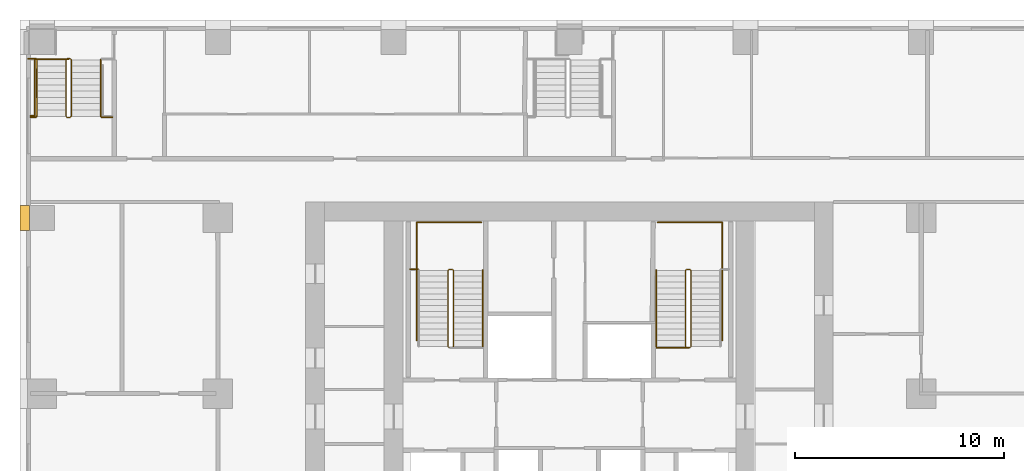
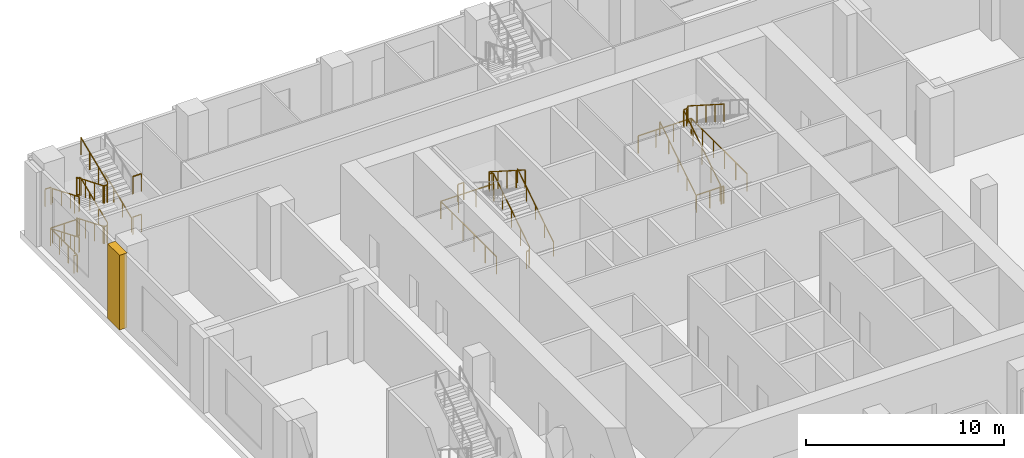
# One storey, part 17 of 21: 18 railings, 1 covering.
"""IFC4 building model written with IfcOpenShell, lengths in metres."""

from ifc_helpers import new_model, si_unit, direction, frame, origin, origin_2d, place, context, subcontext, project, spatial, polyline, rectangle, outline, extrude, material, type_object, element, save


model = new_model("IFC4")

# Units and contexts
model_context = context("Model", 3, precision=1e-05, world=origin(), true_north=direction((0.0, 1.0)))
body_context = subcontext(model_context, "Body", "Model", "MODEL_VIEW")
ifc_project = project(units=[si_unit("LENGTHUNIT", "METRE"), si_unit("AREAUNIT", "SQUARE_METRE"), si_unit("VOLUMEUNIT", "CUBIC_METRE"), si_unit("PLANEANGLEUNIT", "RADIAN"), si_unit("MASSUNIT", "GRAM", prefix="KILO")], contexts=[model_context])

# Site, building, storey
site_placement = place(None, origin())
site = spatial("IfcSite", under=ifc_project, at=site_placement, CompositionType="ELEMENT")
building_placement = place(site_placement, origin())
building = spatial("IfcBuilding", under=site, at=building_placement, Name="Vermilion Ogive Tower", CompositionType="ELEMENT")
storey_placement = place(building_placement, frame((0.0, 0.0, 25.0)))
storey = spatial("IfcBuildingStorey", under=building, at=storey_placement, Name="L04", CompositionType="ELEMENT", Elevation=25.0)

# Railings
ifc_material_1 = material(Name="Steel S355 painted", Category="steel")
railing_type_1 = type_object("IfcRailingType", Name="Stair guard 1100", PredefinedType="GUARDRAIL", material=ifc_material_1)
railing_1_placement = place(storey_placement, frame((-5.75, 14.800048828125, 0.0)))
element("IfcRailing", 1, at=railing_1_placement, inside=storey, type_object=railing_type_1, Name="L04 ST1 stair guard 4", PredefinedType="GUARDRAIL", context=body_context, shape_type="SweptSolid", body=[
    extrude(rectangle(XDim=0.048095703125, YDim=0.048095703125, at=origin_2d()), frame((0.0, 0.0, 1.076171875), z_axis=(1.0, 0.0, 0.0), x_axis=(0.0, 1.0, 0.0)), (0.0, 0.0, 1.0), 0.14990234375),
    extrude(rectangle(XDim=0.048095703125, YDim=0.048095703125, at=origin_2d()), frame((0.14990234375, 0.0, 1.076171875), z_axis=(0.260684529273, 0.260684529273, 0.929562882432), x_axis=(-0.707106781187, 0.707106781187, 0.0)), (0.0, 0.0, 1.0), 0.19189453125),
    extrude(rectangle(XDim=0.048095703125, YDim=0.048095703125, at=origin_2d()), frame((0.199951171875, 0.050048828125, 1.25439453125), z_axis=(0.0, 0.843111507901, 0.53773877045), x_axis=(-1.0, 0.0, 0.0)), (0.0, 0.0, 1.0), 4.317138671875),
    extrude(rectangle(XDim=0.048095703125, YDim=0.048095703125, at=origin_2d()), frame((0.199951171875, 3.68994140625, 3.576171875), z_axis=(-0.707106781187, 0.707106781187, 0.0), x_axis=(-0.707106781187, -0.707106781187, 0.0)), (0.0, 0.0, 1.0), 0.07080078125),
    extrude(rectangle(XDim=0.048095703125, YDim=0.048095703125, at=origin_2d()), frame((0.14990234375, 3.739990234375, 3.576171875), z_axis=(-1.0, 0.0, 0.0), x_axis=(0.0, -1.0, 0.0)), (0.0, 0.0, 1.0), 0.14990234375),
    extrude(rectangle(XDim=0.048095703125, YDim=0.048095703125, at=origin_2d()), frame((0.0, 3.739990234375, 3.576171875), z_axis=(-0.260684529273, -0.260684529273, 0.929562882432), x_axis=(0.707106781187, -0.707106781187, 0.0)), (0.0, 0.0, 1.0), 0.19189453125),
    extrude(rectangle(XDim=0.048095703125, YDim=0.048095703125, at=origin_2d()), frame((-0.050048828125, 3.68994140625, 3.75439453125), z_axis=(0.0, -0.843111507901, 0.53773877045), x_axis=(1.0, 0.0, 0.0)), (0.0, 0.0, 1.0), 4.317138671875),
    extrude(rectangle(XDim=0.0419921875, YDim=0.0419921875, at=origin_2d()), origin(), (0.0, 0.0, 1.0), 1.052001953125),
    extrude(rectangle(XDim=0.0419921875, YDim=0.0419921875, at=origin_2d()), frame((0.14990234375, 0.0, 0.0)), (0.0, 0.0, 1.0), 1.052001953125),
    extrude(rectangle(XDim=0.0419921875, YDim=0.0419921875, at=origin_2d()), frame((0.199951171875, 0.050048828125, 0.178466796875)), (0.0, 0.0, 1.0), 1.052001953125),
    extrude(rectangle(XDim=0.0419921875, YDim=0.0419921875, at=origin_2d()), frame((0.199951171875, 0.9599609375, 0.7587890625)), (0.0, 0.0, 1.0), 1.052001953125),
    extrude(rectangle(XDim=0.0419921875, YDim=0.0419921875, at=origin_2d()), frame((0.199951171875, 1.8701171875, 1.33935546875)), (0.0, 0.0, 1.0), 1.052001953125),
    extrude(rectangle(XDim=0.0419921875, YDim=0.0419921875, at=origin_2d()), frame((0.199951171875, 2.780029296875, 1.919677734375)), (0.0, 0.0, 1.0), 1.052001953125),
    extrude(rectangle(XDim=0.0419921875, YDim=0.0419921875, at=origin_2d()), frame((0.199951171875, 3.68994140625, 2.5)), (0.0, 0.0, 1.0), 1.052001953125),
    extrude(rectangle(XDim=0.0419921875, YDim=0.0419921875, at=origin_2d()), frame((0.14990234375, 3.739990234375, 2.5)), (0.0, 0.0, 1.0), 1.052001953125),
    extrude(rectangle(XDim=0.0419921875, YDim=0.0419921875, at=origin_2d()), frame((0.0, 3.739990234375, 2.5)), (0.0, 0.0, 1.0), 1.052001953125),
    extrude(rectangle(XDim=0.0419921875, YDim=0.0419921875, at=origin_2d()), frame((-0.050048828125, 3.68994140625, 2.678466796875)), (0.0, 0.0, 1.0), 1.052001953125),
    extrude(rectangle(XDim=0.0419921875, YDim=0.0419921875, at=origin_2d()), frame((-0.050048828125, 2.780029296875, 3.2587890625)), (0.0, 0.0, 1.0), 1.052001953125),
    extrude(rectangle(XDim=0.0419921875, YDim=0.0419921875, at=origin_2d()), frame((-0.050048828125, 1.8701171875, 3.83935546875)), (0.0, 0.0, 1.0), 1.052001953125),
    extrude(rectangle(XDim=0.0419921875, YDim=0.0419921875, at=origin_2d()), frame((-0.050048828125, 0.9599609375, 4.419677734375)), (0.0, 0.0, 1.0), 1.052001953125),
    extrude(rectangle(XDim=0.0419921875, YDim=0.0419921875, at=origin_2d()), frame((-0.050048828125, 0.050048828125, 5.0)), (0.0, 0.0, 1.0), 1.052001953125),
])
railing_2_placement = place(storey_placement, frame((5.75, 14.800048828125, 0.0)))
element("IfcRailing", 2, at=railing_2_placement, inside=storey, type_object=railing_type_1, Name="L04 ST2 stair guard 4", PredefinedType="GUARDRAIL", context=body_context, shape_type="SweptSolid", body=[
    extrude(rectangle(XDim=0.048095703125, YDim=0.048095703125, at=origin_2d()), frame((0.0, 0.0, 1.076171875), z_axis=(-1.0, 0.0, 0.0), x_axis=(0.0, -1.0, 0.0)), (0.0, 0.0, 1.0), 0.14990234375),
    extrude(rectangle(XDim=0.048095703125, YDim=0.048095703125, at=origin_2d()), frame((-0.14990234375, 0.0, 1.076171875), z_axis=(-0.260684529273, 0.260684529273, 0.929562882432), x_axis=(-0.707106781187, -0.707106781187, 0.0)), (0.0, 0.0, 1.0), 0.19189453125),
    extrude(rectangle(XDim=0.048095703125, YDim=0.048095703125, at=origin_2d()), frame((-0.199951171875, 0.050048828125, 1.25439453125), z_axis=(0.0, 0.843111507901, 0.53773877045), x_axis=(-1.0, 0.0, 0.0)), (0.0, 0.0, 1.0), 4.317138671875),
    extrude(rectangle(XDim=0.048095703125, YDim=0.048095703125, at=origin_2d()), frame((-0.199951171875, 3.68994140625, 3.576171875), z_axis=(0.707106781187, 0.707106781187, 0.0), x_axis=(-0.707106781187, 0.707106781187, 0.0)), (0.0, 0.0, 1.0), 0.07080078125),
    extrude(rectangle(XDim=0.048095703125, YDim=0.048095703125, at=origin_2d()), frame((-0.14990234375, 3.739990234375, 3.576171875), z_axis=(1.0, 0.0, 0.0), x_axis=(0.0, 1.0, 0.0)), (0.0, 0.0, 1.0), 0.14990234375),
    extrude(rectangle(XDim=0.048095703125, YDim=0.048095703125, at=origin_2d()), frame((0.0, 3.739990234375, 3.576171875), z_axis=(0.260684529273, -0.260684529273, 0.929562882432), x_axis=(0.707106781187, 0.707106781187, 0.0)), (0.0, 0.0, 1.0), 0.19189453125),
    extrude(rectangle(XDim=0.048095703125, YDim=0.048095703125, at=origin_2d()), frame((0.050048828125, 3.68994140625, 3.75439453125), z_axis=(0.0, -0.843111507901, 0.53773877045), x_axis=(1.0, 0.0, 0.0)), (0.0, 0.0, 1.0), 4.317138671875),
    extrude(rectangle(XDim=0.0419921875, YDim=0.0419921875, at=origin_2d()), origin(), (0.0, 0.0, 1.0), 1.052001953125),
    extrude(rectangle(XDim=0.0419921875, YDim=0.0419921875, at=origin_2d()), frame((-0.14990234375, 0.0, 0.0)), (0.0, 0.0, 1.0), 1.052001953125),
    extrude(rectangle(XDim=0.0419921875, YDim=0.0419921875, at=origin_2d()), frame((-0.199951171875, 0.050048828125, 0.178466796875)), (0.0, 0.0, 1.0), 1.052001953125),
    extrude(rectangle(XDim=0.0419921875, YDim=0.0419921875, at=origin_2d()), frame((-0.199951171875, 0.9599609375, 0.7587890625)), (0.0, 0.0, 1.0), 1.052001953125),
    extrude(rectangle(XDim=0.0419921875, YDim=0.0419921875, at=origin_2d()), frame((-0.199951171875, 1.8701171875, 1.33935546875)), (0.0, 0.0, 1.0), 1.052001953125),
    extrude(rectangle(XDim=0.0419921875, YDim=0.0419921875, at=origin_2d()), frame((-0.199951171875, 2.780029296875, 1.919677734375)), (0.0, 0.0, 1.0), 1.052001953125),
    extrude(rectangle(XDim=0.0419921875, YDim=0.0419921875, at=origin_2d()), frame((-0.199951171875, 3.68994140625, 2.5)), (0.0, 0.0, 1.0), 1.052001953125),
    extrude(rectangle(XDim=0.0419921875, YDim=0.0419921875, at=origin_2d()), frame((-0.14990234375, 3.739990234375, 2.5)), (0.0, 0.0, 1.0), 1.052001953125),
    extrude(rectangle(XDim=0.0419921875, YDim=0.0419921875, at=origin_2d()), frame((0.0, 3.739990234375, 2.5)), (0.0, 0.0, 1.0), 1.052001953125),
    extrude(rectangle(XDim=0.0419921875, YDim=0.0419921875, at=origin_2d()), frame((0.050048828125, 3.68994140625, 2.678466796875)), (0.0, 0.0, 1.0), 1.052001953125),
    extrude(rectangle(XDim=0.0419921875, YDim=0.0419921875, at=origin_2d()), frame((0.050048828125, 2.780029296875, 3.2587890625)), (0.0, 0.0, 1.0), 1.052001953125),
    extrude(rectangle(XDim=0.0419921875, YDim=0.0419921875, at=origin_2d()), frame((0.050048828125, 1.8701171875, 3.83935546875)), (0.0, 0.0, 1.0), 1.052001953125),
    extrude(rectangle(XDim=0.0419921875, YDim=0.0419921875, at=origin_2d()), frame((0.050048828125, 0.9599609375, 4.419677734375)), (0.0, 0.0, 1.0), 1.052001953125),
    extrude(rectangle(XDim=0.0419921875, YDim=0.0419921875, at=origin_2d()), frame((0.050048828125, 0.050048828125, 5.0)), (0.0, 0.0, 1.0), 1.052001953125),
])
railing_3_placement = place(storey_placement, frame((-23.85009765625, 28.60009765625, 0.0)))
element("IfcRailing", 3, at=railing_3_placement, inside=storey, type_object=railing_type_1, Name="L04 PS1 stair guard 8", PredefinedType="GUARDRAIL", context=body_context, shape_type="SweptSolid", body=[
    extrude(rectangle(XDim=0.048095703125, YDim=0.048095703125, at=origin_2d()), frame((0.0, 0.0, 1.076171875), z_axis=(-1.0, 0.0, 0.0), x_axis=(0.0, -1.0, 0.0)), (0.0, 0.0, 1.0), 0.14990234375),
    extrude(rectangle(XDim=0.048095703125, YDim=0.048095703125, at=origin_2d()), frame((-0.14990234375, 0.0, 1.076171875), z_axis=(-0.34841279274, -0.34841279274, 0.870182194549), x_axis=(0.707106781187, -0.707106781187, 0.0)), (0.0, 0.0, 1.0), 0.1435546875),
    extrude(rectangle(XDim=0.048095703125, YDim=0.048095703125, at=origin_2d()), frame((-0.199951171875, -0.050048828125, 1.201171875), z_axis=(0.0, -0.923074453586, 0.384621311341), x_axis=(1.0, 0.0, 0.0)), (0.0, 0.0, 1.0), 2.925048828125),
    extrude(rectangle(XDim=0.048095703125, YDim=0.048095703125, at=origin_2d()), frame((-0.199951171875, -2.75, 2.326171875), z_axis=(0.707106781187, -0.707106781187, 0.0), x_axis=(0.707106781187, 0.707106781187, 0.0)), (0.0, 0.0, 1.0), 0.07080078125),
    extrude(rectangle(XDim=0.048095703125, YDim=0.048095703125, at=origin_2d()), frame((-0.14990234375, -2.800048828125, 2.326171875), z_axis=(1.0, 0.0, 0.0), x_axis=(0.0, 1.0, 0.0)), (0.0, 0.0, 1.0), 0.14990234375),
    extrude(rectangle(XDim=0.048095703125, YDim=0.048095703125, at=origin_2d()), frame((0.0, -2.800048828125, 2.326171875), z_axis=(0.34841279274, 0.34841279274, 0.870182194549), x_axis=(-0.707106781187, 0.707106781187, 0.0)), (0.0, 0.0, 1.0), 0.1435546875),
    extrude(rectangle(XDim=0.048095703125, YDim=0.048095703125, at=origin_2d()), frame((0.050048828125, -2.75, 2.451171875), z_axis=(0.0, 0.923074453586, 0.384621311341), x_axis=(-1.0, 0.0, 0.0)), (0.0, 0.0, 1.0), 2.925048828125),
    extrude(rectangle(XDim=0.048095703125, YDim=0.048095703125, at=origin_2d()), frame((0.050048828125, -0.050048828125, 3.576171875), z_axis=(-0.707106781187, 0.707106781187, 0.0), x_axis=(-0.707106781187, -0.707106781187, 0.0)), (0.0, 0.0, 1.0), 0.07080078125),
    extrude(rectangle(XDim=0.048095703125, YDim=0.048095703125, at=origin_2d()), frame((0.0, 0.0, 3.576171875), z_axis=(-1.0, 0.0, 0.0), x_axis=(0.0, -1.0, 0.0)), (0.0, 0.0, 1.0), 0.14990234375),
    extrude(rectangle(XDim=0.048095703125, YDim=0.048095703125, at=origin_2d()), frame((-0.14990234375, 0.0, 3.576171875), z_axis=(-0.34841279274, -0.34841279274, 0.870182194549), x_axis=(0.707106781187, -0.707106781187, 0.0)), (0.0, 0.0, 1.0), 0.1435546875),
    extrude(rectangle(XDim=0.048095703125, YDim=0.048095703125, at=origin_2d()), frame((-0.199951171875, -0.050048828125, 3.701171875), z_axis=(0.0, -0.923074453586, 0.384621311341), x_axis=(1.0, 0.0, 0.0)), (0.0, 0.0, 1.0), 2.925048828125),
    extrude(rectangle(XDim=0.048095703125, YDim=0.048095703125, at=origin_2d()), frame((-0.199951171875, -2.75, 4.826171875), z_axis=(0.707106781187, -0.707106781187, 0.0), x_axis=(0.707106781187, 0.707106781187, 0.0)), (0.0, 0.0, 1.0), 0.07080078125),
    extrude(rectangle(XDim=0.048095703125, YDim=0.048095703125, at=origin_2d()), frame((-0.14990234375, -2.800048828125, 4.826171875), z_axis=(1.0, 0.0, 0.0), x_axis=(0.0, 1.0, 0.0)), (0.0, 0.0, 1.0), 0.14990234375),
    extrude(rectangle(XDim=0.048095703125, YDim=0.048095703125, at=origin_2d()), frame((0.0, -2.800048828125, 4.826171875), z_axis=(0.34841279274, 0.34841279274, 0.870182194549), x_axis=(-0.707106781187, 0.707106781187, 0.0)), (0.0, 0.0, 1.0), 0.1435546875),
    extrude(rectangle(XDim=0.048095703125, YDim=0.048095703125, at=origin_2d()), frame((0.050048828125, -2.75, 4.951171875), z_axis=(0.0, 0.923074453586, 0.384621311341), x_axis=(-1.0, 0.0, 0.0)), (0.0, 0.0, 1.0), 2.925048828125),
    extrude(rectangle(XDim=0.0419921875, YDim=0.0419921875, at=origin_2d()), origin(), (0.0, 0.0, 1.0), 1.052001953125),
    extrude(rectangle(XDim=0.0419921875, YDim=0.0419921875, at=origin_2d()), frame((-0.14990234375, 0.0, 0.0)), (0.0, 0.0, 1.0), 1.052001953125),
    extrude(rectangle(XDim=0.0419921875, YDim=0.0419921875, at=origin_2d()), frame((-0.199951171875, -0.050048828125, 0.125)), (0.0, 0.0, 1.0), 1.052001953125),
    extrude(rectangle(XDim=0.0419921875, YDim=0.0419921875, at=origin_2d()), frame((-0.199951171875, -0.949951171875, 0.5)), (0.0, 0.0, 1.0), 1.052001953125),
    extrude(rectangle(XDim=0.0419921875, YDim=0.0419921875, at=origin_2d()), frame((-0.199951171875, -1.85009765625, 0.875)), (0.0, 0.0, 1.0), 1.052001953125),
    extrude(rectangle(XDim=0.0419921875, YDim=0.0419921875, at=origin_2d()), frame((-0.199951171875, -2.75, 1.25)), (0.0, 0.0, 1.0), 1.052001953125),
    extrude(rectangle(XDim=0.0419921875, YDim=0.0419921875, at=origin_2d()), frame((-0.14990234375, -2.800048828125, 1.25)), (0.0, 0.0, 1.0), 1.052001953125),
    extrude(rectangle(XDim=0.0419921875, YDim=0.0419921875, at=origin_2d()), frame((0.0, -2.800048828125, 1.25)), (0.0, 0.0, 1.0), 1.052001953125),
    extrude(rectangle(XDim=0.0419921875, YDim=0.0419921875, at=origin_2d()), frame((0.050048828125, -2.75, 1.375)), (0.0, 0.0, 1.0), 1.052001953125),
    extrude(rectangle(XDim=0.0419921875, YDim=0.0419921875, at=origin_2d()), frame((0.050048828125, -1.85009765625, 1.75)), (0.0, 0.0, 1.0), 1.052001953125),
    extrude(rectangle(XDim=0.0419921875, YDim=0.0419921875, at=origin_2d()), frame((0.050048828125, -0.949951171875, 2.125)), (0.0, 0.0, 1.0), 1.052001953125),
    extrude(rectangle(XDim=0.0419921875, YDim=0.0419921875, at=origin_2d()), frame((0.050048828125, -0.050048828125, 2.5)), (0.0, 0.0, 1.0), 1.052001953125),
    extrude(rectangle(XDim=0.0419921875, YDim=0.0419921875, at=origin_2d()), frame((0.0, 0.0, 2.5)), (0.0, 0.0, 1.0), 1.052001953125),
    extrude(rectangle(XDim=0.0419921875, YDim=0.0419921875, at=origin_2d()), frame((-0.14990234375, 0.0, 2.5)), (0.0, 0.0, 1.0), 1.052001953125),
    extrude(rectangle(XDim=0.0419921875, YDim=0.0419921875, at=origin_2d()), frame((-0.199951171875, -0.050048828125, 2.625)), (0.0, 0.0, 1.0), 1.052001953125),
    extrude(rectangle(XDim=0.0419921875, YDim=0.0419921875, at=origin_2d()), frame((-0.199951171875, -0.949951171875, 3.0)), (0.0, 0.0, 1.0), 1.052001953125),
    extrude(rectangle(XDim=0.0419921875, YDim=0.0419921875, at=origin_2d()), frame((-0.199951171875, -1.85009765625, 3.375)), (0.0, 0.0, 1.0), 1.052001953125),
    extrude(rectangle(XDim=0.0419921875, YDim=0.0419921875, at=origin_2d()), frame((-0.199951171875, -2.75, 3.75)), (0.0, 0.0, 1.0), 1.052001953125),
    extrude(rectangle(XDim=0.0419921875, YDim=0.0419921875, at=origin_2d()), frame((-0.14990234375, -2.800048828125, 3.75)), (0.0, 0.0, 1.0), 1.052001953125),
    extrude(rectangle(XDim=0.0419921875, YDim=0.0419921875, at=origin_2d()), frame((0.0, -2.800048828125, 3.75)), (0.0, 0.0, 1.0), 1.052001953125),
    extrude(rectangle(XDim=0.0419921875, YDim=0.0419921875, at=origin_2d()), frame((0.050048828125, -2.75, 3.875)), (0.0, 0.0, 1.0), 1.052001953125),
    extrude(rectangle(XDim=0.0419921875, YDim=0.0419921875, at=origin_2d()), frame((0.050048828125, -1.85009765625, 4.25)), (0.0, 0.0, 1.0), 1.052001953125),
    extrude(rectangle(XDim=0.0419921875, YDim=0.0419921875, at=origin_2d()), frame((0.050048828125, -0.949951171875, 4.625)), (0.0, 0.0, 1.0), 1.052001953125),
    extrude(rectangle(XDim=0.0419921875, YDim=0.0419921875, at=origin_2d()), frame((0.050048828125, -0.050048828125, 5.0)), (0.0, 0.0, 1.0), 1.052001953125),
])
railing_4_placement = place(storey_placement, frame((-7.60009765625, 18.5400390625, 2.5)))
element("IfcRailing", 4, at=railing_4_placement, inside=storey, type_object=railing_type_1, Name="L04 landing guard", PredefinedType="GUARDRAIL", context=body_context, shape_type="SweptSolid", body=[
    extrude(rectangle(XDim=0.048095703125, YDim=0.048095703125, at=origin_2d()), frame((0.0, 0.0, 1.076171875), z_axis=(1.0, 0.0, 0.0), x_axis=(0.0, 1.0, 0.0)), (0.0, 0.0, 1.0), 0.35009765625),
    extrude(rectangle(XDim=0.0419921875, YDim=0.0419921875, at=origin_2d()), origin(), (0.0, 0.0, 1.0), 1.052001953125),
    extrude(rectangle(XDim=0.0419921875, YDim=0.0419921875, at=origin_2d()), frame((0.35009765625, 0.0, 0.0)), (0.0, 0.0, 1.0), 1.052001953125),
])
railing_5_placement = place(storey_placement, frame((-25.75, 25.800048828125, 1.25)))
element("IfcRailing", 5, at=railing_5_placement, inside=storey, type_object=railing_type_1, Name="L04 landing guard", PredefinedType="GUARDRAIL", context=body_context, shape_type="SweptSolid", body=[
    extrude(rectangle(XDim=0.048095703125, YDim=0.048095703125, at=origin_2d()), frame((0.0, 0.0, 1.076171875), z_axis=(1.0, 0.0, 0.0), x_axis=(0.0, 1.0, 0.0)), (0.0, 0.0, 1.0), 0.25),
    extrude(rectangle(XDim=0.0419921875, YDim=0.0419921875, at=origin_2d()), origin(), (0.0, 0.0, 1.0), 1.052001953125),
    extrude(rectangle(XDim=0.0419921875, YDim=0.0419921875, at=origin_2d()), frame((0.25, 0.0, 0.0)), (0.0, 0.0, 1.0), 1.052001953125),
])
railing_6_placement = place(storey_placement, frame((-22.35009765625, 25.800048828125, 1.25)))
element("IfcRailing", 6, at=railing_6_placement, inside=storey, type_object=railing_type_1, Name="L04 landing guard", PredefinedType="GUARDRAIL", context=body_context, shape_type="SweptSolid", body=[
    extrude(rectangle(XDim=0.048095703125, YDim=0.048095703125, at=origin_2d()), frame((0.0, 0.0, 1.076171875), z_axis=(1.0, 0.0, 0.0), x_axis=(0.0, 1.0, 0.0)), (0.0, 0.0, 1.0), 0.5),
    extrude(rectangle(XDim=0.0419921875, YDim=0.0419921875, at=origin_2d()), origin(), (0.0, 0.0, 1.0), 1.052001953125),
    extrude(rectangle(XDim=0.0419921875, YDim=0.0419921875, at=origin_2d()), frame((0.5, 0.0, 0.0)), (0.0, 0.0, 1.0), 1.052001953125),
])
railing_7_placement = place(storey_placement, frame((-25.85009765625, 28.60009765625, 2.5)))
element("IfcRailing", 7, at=railing_7_placement, inside=storey, type_object=railing_type_1, Name="L04 landing guard", PredefinedType="GUARDRAIL", context=body_context, shape_type="SweptSolid", body=[
    extrude(rectangle(XDim=0.048095703125, YDim=0.048095703125, at=origin_2d()), frame((0.0, 0.0, 1.076171875), z_axis=(1.0, 0.0, 0.0), x_axis=(0.0, 1.0, 0.0)), (0.0, 0.0, 1.0), 0.35009765625),
    extrude(rectangle(XDim=0.0419921875, YDim=0.0419921875, at=origin_2d()), origin(), (0.0, 0.0, 1.0), 1.052001953125),
    extrude(rectangle(XDim=0.0419921875, YDim=0.0419921875, at=origin_2d()), frame((0.35009765625, 0.0, 0.0)), (0.0, 0.0, 1.0), 1.052001953125),
])
railing_8_placement = place(storey_placement, frame((-25.75, 25.800048828125, 3.75)))
element("IfcRailing", 8, at=railing_8_placement, inside=storey, type_object=railing_type_1, Name="L04 landing guard", PredefinedType="GUARDRAIL", context=body_context, shape_type="SweptSolid", body=[
    extrude(rectangle(XDim=0.048095703125, YDim=0.048095703125, at=origin_2d()), frame((0.0, 0.0, 1.076171875), z_axis=(1.0, 0.0, 0.0), x_axis=(0.0, 1.0, 0.0)), (0.0, 0.0, 1.0), 0.25),
    extrude(rectangle(XDim=0.0419921875, YDim=0.0419921875, at=origin_2d()), origin(), (0.0, 0.0, 1.0), 1.052001953125),
    extrude(rectangle(XDim=0.0419921875, YDim=0.0419921875, at=origin_2d()), frame((0.25, 0.0, 0.0)), (0.0, 0.0, 1.0), 1.052001953125),
])
railing_9_placement = place(storey_placement, frame((-22.35009765625, 25.800048828125, 3.75)))
element("IfcRailing", 9, at=railing_9_placement, inside=storey, type_object=railing_type_1, Name="L04 landing guard", PredefinedType="GUARDRAIL", context=body_context, shape_type="SweptSolid", body=[
    extrude(rectangle(XDim=0.048095703125, YDim=0.048095703125, at=origin_2d()), frame((0.0, 0.0, 1.076171875), z_axis=(1.0, 0.0, 0.0), x_axis=(0.0, 1.0, 0.0)), (0.0, 0.0, 1.0), 0.5),
    extrude(rectangle(XDim=0.0419921875, YDim=0.0419921875, at=origin_2d()), origin(), (0.0, 0.0, 1.0), 1.052001953125),
    extrude(rectangle(XDim=0.0419921875, YDim=0.0419921875, at=origin_2d()), frame((0.5, 0.0, 0.0)), (0.0, 0.0, 1.0), 1.052001953125),
])
railing_10_placement = place(storey_placement, frame((-4.212646484375, 20.77880859375, 0.0)))
element("IfcRailing", 10, at=railing_10_placement, inside=storey, type_object=railing_type_1, Name="L04 stair opening guard", PredefinedType="GUARDRAIL", context=body_context, shape_type="SweptSolid", body=[
    extrude(rectangle(XDim=0.048095703125, YDim=0.048095703125, at=origin_2d()), frame((0.0, 0.0, 1.076171875), z_axis=(-1.0, 0.0, 0.0), x_axis=(0.0, -1.0, 0.0)), (0.0, 0.0, 1.0), 3.08984375),
    extrude(rectangle(XDim=0.048095703125, YDim=0.048095703125, at=origin_2d()), frame((-3.08984375, 0.0, 1.076171875), z_axis=(0.0, -1.0, 0.0), x_axis=(1.0, 0.0, 0.0)), (0.0, 0.0, 1.0), 5.624267578125),
    extrude(rectangle(XDim=0.0419921875, YDim=0.0419921875, at=origin_2d()), origin(), (0.0, 0.0, 1.0), 1.052001953125),
    extrude(rectangle(XDim=0.0419921875, YDim=0.0419921875, at=origin_2d()), frame((-1.030029296875, 0.0, 0.0)), (0.0, 0.0, 1.0), 1.052001953125),
    extrude(rectangle(XDim=0.0419921875, YDim=0.0419921875, at=origin_2d()), frame((-2.059814453125, 0.0, 0.0)), (0.0, 0.0, 1.0), 1.052001953125),
    extrude(rectangle(XDim=0.0419921875, YDim=0.0419921875, at=origin_2d()), frame((-3.08984375, 0.0, 0.0)), (0.0, 0.0, 1.0), 1.052001953125),
    extrude(rectangle(XDim=0.0419921875, YDim=0.0419921875, at=origin_2d()), frame((-3.08984375, -1.124755859375, 0.0)), (0.0, 0.0, 1.0), 1.052001953125),
    extrude(rectangle(XDim=0.0419921875, YDim=0.0419921875, at=origin_2d()), frame((-3.08984375, -2.249755859375, 0.0)), (0.0, 0.0, 1.0), 1.052001953125),
    extrude(rectangle(XDim=0.0419921875, YDim=0.0419921875, at=origin_2d()), frame((-3.08984375, -3.37451171875, 0.0)), (0.0, 0.0, 1.0), 1.052001953125),
    extrude(rectangle(XDim=0.0419921875, YDim=0.0419921875, at=origin_2d()), frame((-3.08984375, -4.49951171875, 0.0)), (0.0, 0.0, 1.0), 1.052001953125),
    extrude(rectangle(XDim=0.0419921875, YDim=0.0419921875, at=origin_2d()), frame((-3.08984375, -5.624267578125, 0.0)), (0.0, 0.0, 1.0), 1.052001953125),
])
railing_11_placement = place(storey_placement, frame((4.159912109375, 14.7900390625, 0.0)))
element("IfcRailing", 11, at=railing_11_placement, inside=storey, type_object=railing_type_1, Name="L04 stair opening guard", PredefinedType="GUARDRAIL", context=body_context, shape_type="SweptSolid", body=[
    extrude(rectangle(XDim=0.048095703125, YDim=0.048095703125, at=origin_2d()), frame((0.0, 0.0, 1.076171875), z_axis=(1.0, 0.0, 0.0), x_axis=(0.0, 1.0, 0.0)), (0.0, 0.0, 1.0), 1.5400390625),
    extrude(rectangle(XDim=0.0419921875, YDim=0.0419921875, at=origin_2d()), origin(), (0.0, 0.0, 1.0), 1.052001953125),
    extrude(rectangle(XDim=0.0419921875, YDim=0.0419921875, at=origin_2d()), frame((0.77001953125, 0.0, 0.0)), (0.0, 0.0, 1.0), 1.052001953125),
    extrude(rectangle(XDim=0.0419921875, YDim=0.0419921875, at=origin_2d()), frame((1.5400390625, 0.0, 0.0)), (0.0, 0.0, 1.0), 1.052001953125),
])
railing_12_placement = place(storey_placement, frame((7.302490234375, 15.154541015625, 0.0)))
element("IfcRailing", 12, at=railing_12_placement, inside=storey, type_object=railing_type_1, Name="L04 stair opening guard", PredefinedType="GUARDRAIL", context=body_context, shape_type="SweptSolid", body=[
    extrude(rectangle(XDim=0.048095703125, YDim=0.048095703125, at=origin_2d()), frame((0.0, 0.0, 1.076171875), z_axis=(0.0, 1.0, 0.0), x_axis=(-1.0, 0.0, 0.0)), (0.0, 0.0, 1.0), 5.624267578125),
    extrude(rectangle(XDim=0.048095703125, YDim=0.048095703125, at=origin_2d()), frame((0.0, 5.624267578125, 1.076171875), z_axis=(-1.0, 0.0, 0.0), x_axis=(0.0, -1.0, 0.0)), (0.0, 0.0, 1.0), 3.09033203125),
    extrude(rectangle(XDim=0.0419921875, YDim=0.0419921875, at=origin_2d()), origin(), (0.0, 0.0, 1.0), 1.052001953125),
    extrude(rectangle(XDim=0.0419921875, YDim=0.0419921875, at=origin_2d()), frame((0.0, 1.124755859375, 0.0)), (0.0, 0.0, 1.0), 1.052001953125),
    extrude(rectangle(XDim=0.0419921875, YDim=0.0419921875, at=origin_2d()), frame((0.0, 2.249755859375, 0.0)), (0.0, 0.0, 1.0), 1.052001953125),
    extrude(rectangle(XDim=0.0419921875, YDim=0.0419921875, at=origin_2d()), frame((0.0, 3.37451171875, 0.0)), (0.0, 0.0, 1.0), 1.052001953125),
    extrude(rectangle(XDim=0.0419921875, YDim=0.0419921875, at=origin_2d()), frame((0.0, 4.49951171875, 0.0)), (0.0, 0.0, 1.0), 1.052001953125),
    extrude(rectangle(XDim=0.0419921875, YDim=0.0419921875, at=origin_2d()), frame((0.0, 5.624267578125, 0.0)), (0.0, 0.0, 1.0), 1.052001953125),
    extrude(rectangle(XDim=0.0419921875, YDim=0.0419921875, at=origin_2d()), frame((-1.030029296875, 5.624267578125, 0.0)), (0.0, 0.0, 1.0), 1.052001953125),
    extrude(rectangle(XDim=0.0419921875, YDim=0.0419921875, at=origin_2d()), frame((-2.060302734375, 5.624267578125, 0.0)), (0.0, 0.0, 1.0), 1.052001953125),
    extrude(rectangle(XDim=0.0419921875, YDim=0.0419921875, at=origin_2d()), frame((-3.09033203125, 5.624267578125, 0.0)), (0.0, 0.0, 1.0), 1.052001953125),
])
railing_13_placement = place(storey_placement, frame((-25.739990234375, 25.88330078125, 0.0)))
element("IfcRailing", 13, at=railing_13_placement, inside=storey, type_object=railing_type_1, Name="L04 stair opening guard", PredefinedType="GUARDRAIL", context=body_context, shape_type="SweptSolid", body=[
    extrude(rectangle(XDim=0.048095703125, YDim=0.048095703125, at=origin_2d()), frame((0.0, 0.0, 1.076171875), z_axis=(1.0, 0.0, 0.0), x_axis=(0.0, 1.0, 0.0)), (0.0, 0.0, 1.0), 0.18994140625),
    extrude(rectangle(XDim=0.048095703125, YDim=0.048095703125, at=origin_2d()), frame((0.18994140625, 0.0, 1.076171875), z_axis=(0.0, 1.0, 0.0), x_axis=(-1.0, 0.0, 0.0)), (0.0, 0.0, 1.0), 2.699951171875),
    extrude(rectangle(XDim=0.048095703125, YDim=0.048095703125, at=origin_2d()), frame((0.18994140625, 2.699951171875, 1.076171875), z_axis=(1.0, 0.0, 0.0), x_axis=(0.0, 1.0, 0.0)), (0.0, 0.0, 1.0), 1.60009765625),
    extrude(rectangle(XDim=0.0419921875, YDim=0.0419921875, at=origin_2d()), origin(), (0.0, 0.0, 1.0), 1.052001953125),
    extrude(rectangle(XDim=0.0419921875, YDim=0.0419921875, at=origin_2d()), frame((0.18994140625, 0.0, 0.0)), (0.0, 0.0, 1.0), 1.052001953125),
    extrude(rectangle(XDim=0.0419921875, YDim=0.0419921875, at=origin_2d()), frame((0.18994140625, 0.89990234375, 0.0)), (0.0, 0.0, 1.0), 1.052001953125),
    extrude(rectangle(XDim=0.0419921875, YDim=0.0419921875, at=origin_2d()), frame((0.18994140625, 1.800048828125, 0.0)), (0.0, 0.0, 1.0), 1.052001953125),
    extrude(rectangle(XDim=0.0419921875, YDim=0.0419921875, at=origin_2d()), frame((0.18994140625, 2.699951171875, 0.0)), (0.0, 0.0, 1.0), 1.052001953125),
    extrude(rectangle(XDim=0.0419921875, YDim=0.0419921875, at=origin_2d()), frame((0.989990234375, 2.699951171875, 0.0)), (0.0, 0.0, 1.0), 1.052001953125),
    extrude(rectangle(XDim=0.0419921875, YDim=0.0419921875, at=origin_2d()), frame((1.7900390625, 2.699951171875, 0.0)), (0.0, 0.0, 1.0), 1.052001953125),
])
ifc_material_2 = material(Name="Stainless steel", Category="steel")
railing_type_2 = type_object("IfcRailingType", Name="Stair handrail 900", PredefinedType="HANDRAIL", material=ifc_material_2)
for number, where, name in (
    (14, (-4.14990234375, 14.85009765625, 0.178466796875), "L04 ST1 stair handrail 1"),
    (15, (4.14990234375, 14.85009765625, 0.178466796875), "L04 ST2 stair handrail 1"),
):
    element("IfcRailing", number, at=place(storey_placement, frame(where)), inside=storey, type_object=railing_type_2, Name=name, PredefinedType="HANDRAIL", context=body_context, shape_type="SweptSolid", body=[
        extrude(rectangle(XDim=0.048095703125, YDim=0.048095703125, at=origin_2d()), frame((0.0, 0.0, 0.8759765625), z_axis=(0.0, 0.843111507901, 0.53773877045), x_axis=(-1.0, 0.0, 0.0)), (0.0, 0.0, 1.0), 4.317138671875),
        extrude(rectangle(XDim=0.0419921875, YDim=0.0419921875, at=origin_2d()), origin(), (0.0, 0.0, 1.0), 0.851806640625),
        extrude(rectangle(XDim=0.0419921875, YDim=0.0419921875, at=origin_2d()), frame((0.0, 0.909912109375, 0.580322265625)), (0.0, 0.0, 1.0), 0.851806640625),
        extrude(rectangle(XDim=0.0419921875, YDim=0.0419921875, at=origin_2d()), frame((0.0, 1.81982421875, 1.16064453125)), (0.0, 0.0, 1.0), 0.851806640625),
        extrude(rectangle(XDim=0.0419921875, YDim=0.0419921875, at=origin_2d()), frame((0.0, 2.72998046875, 1.7412109375)), (0.0, 0.0, 1.0), 0.851806640625),
        extrude(rectangle(XDim=0.0419921875, YDim=0.0419921875, at=origin_2d()), frame((0.0, 3.639892578125, 2.321533203125)), (0.0, 0.0, 1.0), 0.851806640625),
    ])
railing_14_placement = place(storey_placement, frame((-25.449951171875, 28.550048828125, 0.125)))
element("IfcRailing", 16, at=railing_14_placement, inside=storey, type_object=railing_type_2, Name="L04 PS1 stair handrail 1", PredefinedType="HANDRAIL", context=body_context, shape_type="SweptSolid", body=[
    extrude(rectangle(XDim=0.048095703125, YDim=0.048095703125, at=origin_2d()), frame((0.0, 0.0, 0.8759765625), z_axis=(0.0, -0.923074453586, 0.384621311341), x_axis=(1.0, 0.0, 0.0)), (0.0, 0.0, 1.0), 2.925048828125),
    extrude(rectangle(XDim=0.0419921875, YDim=0.0419921875, at=origin_2d()), origin(), (0.0, 0.0, 1.0), 0.851806640625),
    extrude(rectangle(XDim=0.0419921875, YDim=0.0419921875, at=origin_2d()), frame((0.0, -0.89990234375, 0.375)), (0.0, 0.0, 1.0), 0.851806640625),
    extrude(rectangle(XDim=0.0419921875, YDim=0.0419921875, at=origin_2d()), frame((0.0, -1.800048828125, 0.75)), (0.0, 0.0, 1.0), 0.851806640625),
    extrude(rectangle(XDim=0.0419921875, YDim=0.0419921875, at=origin_2d()), frame((0.0, -2.699951171875, 1.125)), (0.0, 0.0, 1.0), 0.851806640625),
])
railing_15_placement = place(storey_placement, frame((-22.39990234375, 25.85009765625, 1.375)))
element("IfcRailing", 17, at=railing_15_placement, inside=storey, type_object=railing_type_2, Name="L04 PS1 stair handrail 2", PredefinedType="HANDRAIL", context=body_context, shape_type="SweptSolid", body=[
    extrude(rectangle(XDim=0.048095703125, YDim=0.048095703125, at=origin_2d()), frame((0.0, 0.0, 0.8759765625), z_axis=(0.0, 0.923074453586, 0.384621311341), x_axis=(-1.0, 0.0, 0.0)), (0.0, 0.0, 1.0), 2.925048828125),
    extrude(rectangle(XDim=0.0419921875, YDim=0.0419921875, at=origin_2d()), origin(), (0.0, 0.0, 1.0), 0.851806640625),
    extrude(rectangle(XDim=0.0419921875, YDim=0.0419921875, at=origin_2d()), frame((0.0, 0.89990234375, 0.375)), (0.0, 0.0, 1.0), 0.851806640625),
    extrude(rectangle(XDim=0.0419921875, YDim=0.0419921875, at=origin_2d()), frame((0.0, 1.800048828125, 0.75)), (0.0, 0.0, 1.0), 0.851806640625),
    extrude(rectangle(XDim=0.0419921875, YDim=0.0419921875, at=origin_2d()), frame((0.0, 2.699951171875, 1.125)), (0.0, 0.0, 1.0), 0.851806640625),
])
railing_16_placement = place(storey_placement, frame((-25.449951171875, 28.550048828125, 2.625)))
element("IfcRailing", 18, at=railing_16_placement, inside=storey, type_object=railing_type_2, Name="L04 PS1 stair handrail 3", PredefinedType="HANDRAIL", context=body_context, shape_type="SweptSolid", body=[
    extrude(rectangle(XDim=0.048095703125, YDim=0.048095703125, at=origin_2d()), frame((0.0, 0.0, 0.8759765625), z_axis=(0.0, -0.923074453586, 0.384621311341), x_axis=(1.0, 0.0, 0.0)), (0.0, 0.0, 1.0), 2.925048828125),
    extrude(rectangle(XDim=0.0419921875, YDim=0.0419921875, at=origin_2d()), origin(), (0.0, 0.0, 1.0), 0.851806640625),
    extrude(rectangle(XDim=0.0419921875, YDim=0.0419921875, at=origin_2d()), frame((0.0, -0.89990234375, 0.375)), (0.0, 0.0, 1.0), 0.851806640625),
    extrude(rectangle(XDim=0.0419921875, YDim=0.0419921875, at=origin_2d()), frame((0.0, -1.800048828125, 0.75)), (0.0, 0.0, 1.0), 0.851806640625),
    extrude(rectangle(XDim=0.0419921875, YDim=0.0419921875, at=origin_2d()), frame((0.0, -2.699951171875, 1.125)), (0.0, 0.0, 1.0), 0.851806640625),
])

# Covering
ifc_material_3 = material(Name="Stone cladding", Category="masonry")
covering_type = type_object("IfcCoveringType", Name="Stone pier", PredefinedType="CLADDING", material=ifc_material_3)
covering_placement = place(storey_placement, origin())
element("IfcCovering", 19, at=covering_placement, inside=storey, type_object=covering_type, Name="Stone pier P-252+210", PredefinedType="CLADDING", context=body_context, shape_type="SweptSolid", body=[
    extrude(outline(polyline([(-26.25, 20.39990234375), (-26.25, 21.60009765625), (-25.800048828125, 21.60009765625), (-25.800048828125, 20.39990234375), (-26.25, 20.39990234375)])), origin(), (0.0, 0.0, 1.0), 4.60009765625),
])

save(model, "model.ifc")
